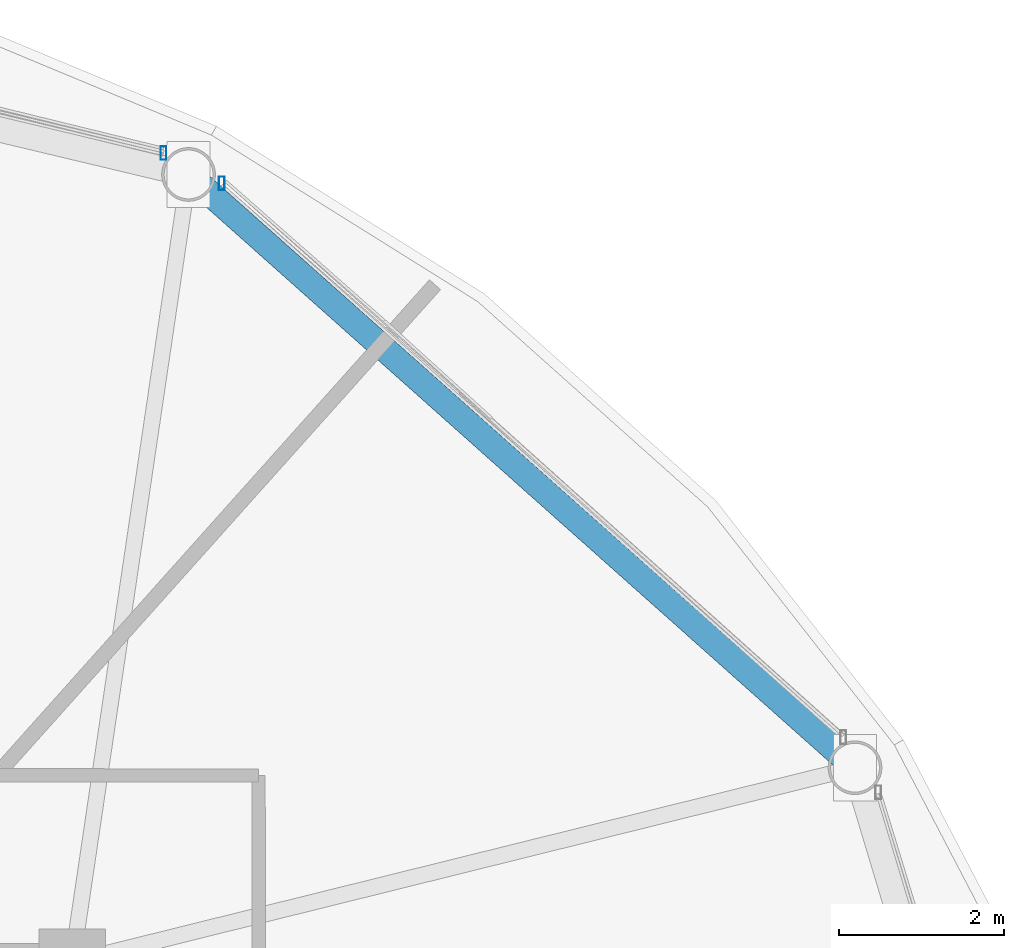
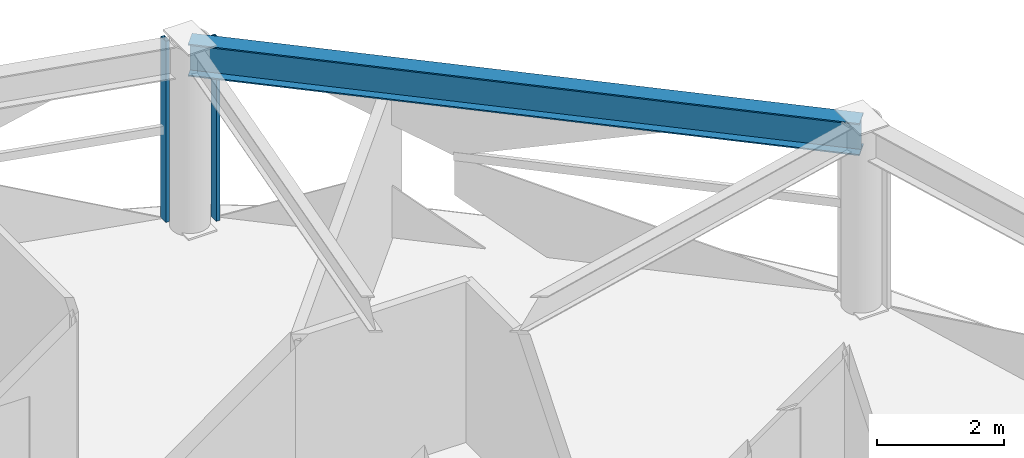
# One storey, part 19 of 28: 2 members, 1 beam, 2 elements without a shape of their own.
"""IFC4 building model written with IfcOpenShell, lengths in metres."""

from ifc_helpers import new_model, si_unit, direction, frame, origin, origin_2d, place, context, subcontext, project, spatial, hollow_rectangle, i_section, extrude, material, layer, layer_set, material_profile, profile_set, type_object, element, aggregate, save


model = new_model("IFC4")

# Units and contexts
model_context = context("Model", 3, precision=1e-05, world=origin(), true_north=direction((0.0, 1.0)))
body_context = subcontext(model_context, "Body", "Model", "MODEL_VIEW")
ifc_project = project(units=[si_unit("LENGTHUNIT", "METRE"), si_unit("AREAUNIT", "SQUARE_METRE"), si_unit("VOLUMEUNIT", "CUBIC_METRE"), si_unit("PLANEANGLEUNIT", "RADIAN"), si_unit("MASSUNIT", "GRAM", prefix="KILO")], contexts=[model_context])

# Site, building, storey
site_placement = place(None, origin())
site = spatial("IfcSite", under=ifc_project, at=site_placement, CompositionType="ELEMENT")
building_placement = place(site_placement, origin())
building = spatial("IfcBuilding", under=site, at=building_placement, Name="Vantalir Tower", CompositionType="ELEMENT")
storey_placement = place(building_placement, frame((0.0, 0.0, 223.64990234375)))
storey = spatial("IfcBuildingStorey", under=building, at=storey_placement, Name="L56", CompositionType="ELEMENT", Elevation=223.64990234375)

# Beam
ifc_material_1 = material(Name="Steel S460", Category="steel")
ifc_material_profile_1 = material_profile(ifc_material_1, i_section(OverallWidth=0.306884765625, OverallDepth=0.6201171875, WebThickness=0.01416015625, FlangeThickness=0.023681640625, at=origin_2d()), Name="Steel S460")
ifc_profile_set_1 = profile_set([ifc_material_profile_1], Name="Steel S460")
beam_type = type_object("IfcBeamType", Name="BM-RG-610x305", PredefinedType="USERDEFINED", material=ifc_profile_set_1)
beam_placement = place(storey_placement, frame((50.56396484375, 34.798095703125, 3.260009765625), z_axis=(-0.746934658409, 0.664897447782, 0.0), x_axis=(-0.664897447782, -0.746934658409, 0.0)))
element("IfcBeam", 1, at=beam_placement, inside=storey, type_object=beam_type, Name="L56 Circumferential Ring Girder 02", ObjectType="GIRDER", PredefinedType="USERDEFINED", context=body_context, shape_type="SweptSolid", body=[
    extrude(i_section(OverallWidth=0.306884765625, OverallDepth=0.6201171875, WebThickness=0.01416015625, FlangeThickness=0.023681640625, at=origin_2d()), origin(), (0.0, 0.0, 1.0), 10.787841796875),
])

# Curtain wall, member
ifc_material_2 = material(Name="Champagne-silver PVDF aluminium and double-silver Low-E glass", Category="aluminium")
ifc_layer = layer(ifc_material_2, 0.2099609375)
ifc_layer_set = layer_set([ifc_layer], Name="Champagne-silver PVDF aluminium and double-silver Low-E glass")
curtain_wall_type = type_object("IfcCurtainWallType", Name="CW-DIAMOND-Z3", PredefinedType="USERDEFINED", material=ifc_layer_set)
curtain_wall_1_placement = place(storey_placement, origin())
curtain_wall_1 = element("IfcCurtainWall", 2, at=curtain_wall_1_placement, inside=storey, type_object=curtain_wall_type, Name="L56 Quilted Pyramid-Diamond Curtain Wall S02", ObjectType="UNITISED CURTAIN WALL", PredefinedType="USERDEFINED")
ifc_material_3 = material(Name="Champagne-silver PVDF aluminium 6063-T6", Category="aluminium")
ifc_material_profile_2 = material_profile(ifc_material_3, hollow_rectangle(XDim=0.070068359375, YDim=0.1650390625, WallThickness=0.00390625, at=origin_2d()), Name="Champagne-silver PVDF aluminium 6063-T6")
ifc_profile_set_2 = profile_set([ifc_material_profile_2], Name="Champagne-silver PVDF aluminium 6063-T6")
member_type = type_object("IfcMemberType", Name="CWM-165x70", PredefinedType="MULLION", material=ifc_profile_set_2)
member_1_placement = place(storey_placement, frame((42.907958984375, 41.862060546875, 0.045166015625), z_axis=(0.0, 0.0, 1.0), x_axis=(1.0, 0.0, 0.0)))
member_1 = element("IfcMember", 3, at=member_1_placement, type_object=member_type, Name="CW-L56-S02 Mullion 2", PredefinedType="MULLION", context=body_context, shape_type="SweptSolid", body=[
    extrude(hollow_rectangle(XDim=0.070068359375, YDim=0.1650390625, WallThickness=0.00390625, at=origin_2d()), origin(), (0.0, 0.0, 1.0), 3.47998046875),
])
aggregate(curtain_wall_1, [member_1])

curtain_wall_2_placement = place(storey_placement, origin())
curtain_wall_2 = element("IfcCurtainWall", 4, at=curtain_wall_2_placement, inside=storey, type_object=curtain_wall_type, Name="L56 Quilted Pyramid-Diamond Curtain Wall S03", ObjectType="UNITISED CURTAIN WALL", PredefinedType="USERDEFINED")
member_2_placement = place(storey_placement, frame((42.202880859375, 42.22998046875, 0.045166015625), z_axis=(0.0, 0.0, 1.0), x_axis=(1.0, 0.0, 0.0)))
member_2 = element("IfcMember", 5, at=member_2_placement, type_object=member_type, Name="CW-L56-S03 Mullion 1", PredefinedType="MULLION", context=body_context, shape_type="SweptSolid", body=[
    extrude(hollow_rectangle(XDim=0.070068359375, YDim=0.1650390625, WallThickness=0.00390625, at=origin_2d()), origin(), (0.0, 0.0, 1.0), 3.47998046875),
])
aggregate(curtain_wall_2, [member_2])

save(model, "model.ifc")
